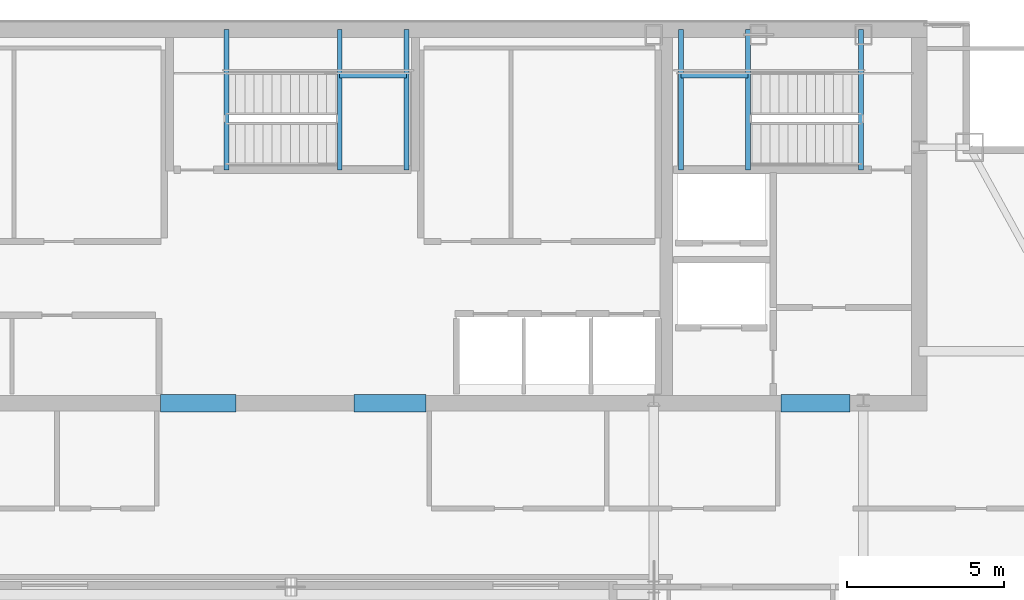
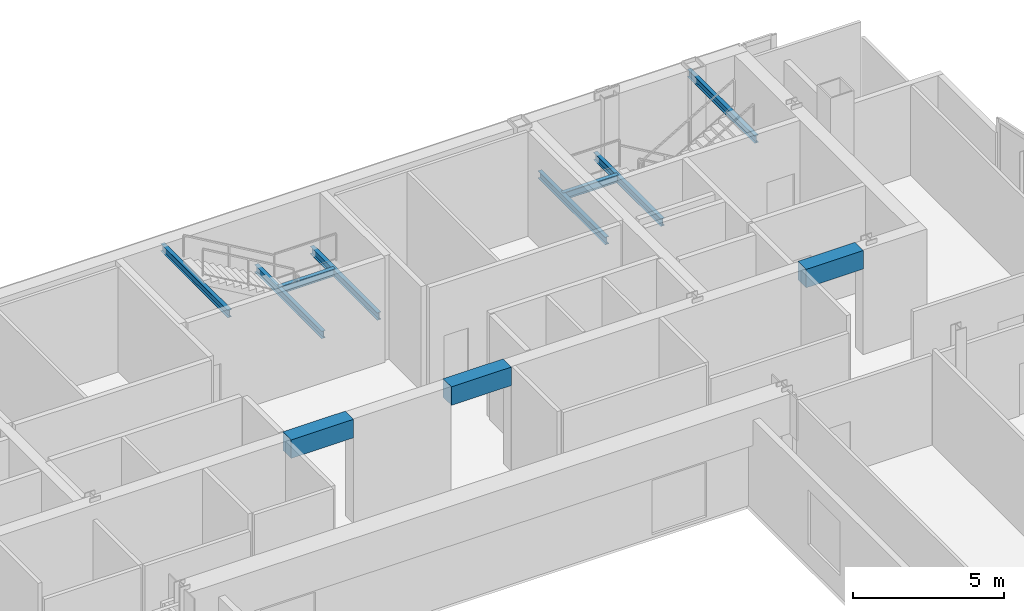
# One storey, part 19 of 27: 11 beams.
"""IFC4 building model written with IfcOpenShell, lengths in metres."""

from ifc_helpers import new_model, si_unit, direction, frame, origin, origin_2d, place, context, subcontext, project, spatial, rectangle, i_section, extrude, material, material_profile, profile_set, type_object, element, save


model = new_model("IFC4")

# Units and contexts
model_context = context("Model", 3, precision=1e-05, world=origin(), true_north=direction((0.0, 1.0)))
body_context = subcontext(model_context, "Body", "Model", "MODEL_VIEW")
ifc_project = project(units=[si_unit("LENGTHUNIT", "METRE"), si_unit("AREAUNIT", "SQUARE_METRE"), si_unit("VOLUMEUNIT", "CUBIC_METRE"), si_unit("PLANEANGLEUNIT", "RADIAN"), si_unit("MASSUNIT", "GRAM", prefix="KILO")], contexts=[model_context])

# Site, building, storey
site_placement = place(None, origin())
site = spatial("IfcSite", under=ifc_project, at=site_placement, CompositionType="ELEMENT")
building_placement = place(site_placement, origin())
building = spatial("IfcBuilding", under=site, at=building_placement, Name="Khoronbel Lancet Exchange", CompositionType="ELEMENT")
storey_placement = place(building_placement, frame((0.0, 0.0, 310.199951171875)))
storey = spatial("IfcBuildingStorey", under=building, at=storey_placement, Name="L80", CompositionType="ELEMENT", Elevation=310.199951171875)

# Beams
ifc_material_1 = material(Name="Steel S355", Category="steel")
ifc_material_profile_1 = material_profile(ifc_material_1, i_section(OverallWidth=0.14990234375, OverallDepth=0.300048828125, WebThickness=0.007080078125, FlangeThickness=0.0107421875, at=origin_2d()), Name="IPE 300")
ifc_profile_set_1 = profile_set([ifc_material_profile_1], Name="Steel S355")
beam_type_1 = type_object("IfcBeamType", Name="BM-BJ8", PredefinedType="JOIST", material=ifc_profile_set_1)
for number, where, z_axis, x_axis, name in (
    (1, (51.0, 48.97998046875, 1.85009765625), (0.0, 1.0, 0.0), (-1.0, 0.0, 0.0), "Level L80 stair ST2 landing bearer beam 1"),
    (2, (48.8701171875, 48.97998046875, 1.85009765625), (0.0, 1.0, 0.0), (-1.0, 0.0, 0.0), "Level L80 stair ST2 rear landing bearer beam 1"),
):
    element("IfcBeam", number, at=place(storey_placement, frame(where, z_axis=z_axis, x_axis=x_axis)), inside=storey, type_object=beam_type_1, Name=name, PredefinedType="JOIST", context=body_context, shape_type="SweptSolid", body=[
        extrude(i_section(OverallWidth=0.14990234375, OverallDepth=0.300048828125, WebThickness=0.007080078125, FlangeThickness=0.0107421875, at=origin_2d()), origin(), (0.0, 0.0, 1.0), 4.469970703125),
    ])
beam_1_placement = place(storey_placement, frame((48.8701171875, 51.97998046875, 1.85009765625), z_axis=(1.0, 0.0, 0.0), x_axis=(0.0, 1.0, 0.0)))
element("IfcBeam", 3, at=beam_1_placement, inside=storey, type_object=beam_type_1, Name="Level L80 stair ST2 landing cross trimmer beam 1", PredefinedType="JOIST", context=body_context, shape_type="SweptSolid", body=[
    extrude(i_section(OverallWidth=0.14990234375, OverallDepth=0.300048828125, WebThickness=0.007080078125, FlangeThickness=0.0107421875, at=origin_2d()), origin(), (0.0, 0.0, 1.0), 2.1298828125),
])
for number, where, z_axis, x_axis, name in (
    (4, (54.60009765625, 48.97998046875, 3.9599609375), (0.0, 1.0, 0.0), (-1.0, 0.0, 0.0), "Level L80 stair ST2 upper-flight arrival trimmer beam"),
    (5, (38.0, 48.97998046875, 1.85009765625), (0.0, 1.0, 0.0), (-1.0, 0.0, 0.0), "Level L80 stair ST3 landing bearer beam 1"),
    (6, (40.1298828125, 48.97998046875, 1.85009765625), (0.0, 1.0, 0.0), (-1.0, 0.0, 0.0), "Level L80 stair ST3 rear landing bearer beam 1"),
):
    element("IfcBeam", number, at=place(storey_placement, frame(where, z_axis=z_axis, x_axis=x_axis)), inside=storey, type_object=beam_type_1, Name=name, PredefinedType="JOIST", context=body_context, shape_type="SweptSolid", body=[
        extrude(i_section(OverallWidth=0.14990234375, OverallDepth=0.300048828125, WebThickness=0.007080078125, FlangeThickness=0.0107421875, at=origin_2d()), origin(), (0.0, 0.0, 1.0), 4.469970703125),
    ])
beam_2_placement = place(storey_placement, frame((38.0, 51.97998046875, 1.85009765625), z_axis=(1.0, 0.0, 0.0), x_axis=(0.0, 1.0, 0.0)))
element("IfcBeam", 7, at=beam_2_placement, inside=storey, type_object=beam_type_1, Name="Level L80 stair ST3 landing cross trimmer beam 1", PredefinedType="JOIST", context=body_context, shape_type="SweptSolid", body=[
    extrude(i_section(OverallWidth=0.14990234375, OverallDepth=0.300048828125, WebThickness=0.007080078125, FlangeThickness=0.0107421875, at=origin_2d()), origin(), (0.0, 0.0, 1.0), 2.1298828125),
])
beam_3_placement = place(storey_placement, frame((34.39990234375, 48.97998046875, 3.9599609375), z_axis=(0.0, 1.0, 0.0), x_axis=(-1.0, 0.0, 0.0)))
element("IfcBeam", 8, at=beam_3_placement, inside=storey, type_object=beam_type_1, Name="Level L80 stair ST3 upper-flight arrival trimmer beam", PredefinedType="JOIST", context=body_context, shape_type="SweptSolid", body=[
    extrude(i_section(OverallWidth=0.14990234375, OverallDepth=0.300048828125, WebThickness=0.007080078125, FlangeThickness=0.0107421875, at=origin_2d()), origin(), (0.0, 0.0, 1.0), 4.469970703125),
])
ifc_material_2 = material(Name="Concrete C60/75", Category="concrete")
ifc_material_profile_2 = material_profile(ifc_material_2, rectangle(XDim=0.550048828125, YDim=0.75, at=origin_2d()), Name="RC 550x750")
ifc_profile_set_2 = profile_set([ifc_material_profile_2], Name="Concrete C60/75")
beam_type_2 = type_object("IfcBeamType", Name="BM-BL2", PredefinedType="LINTEL", material=ifc_profile_set_2)
beam_4_placement = place(storey_placement, frame((32.300048828125, 41.550048828125, 3.864990234375), z_axis=(1.0, 0.0, 0.0), x_axis=(0.0, 1.0, 0.0)))
element("IfcBeam", 9, at=beam_4_placement, inside=storey, type_object=beam_type_2, Name="Level L80 rear core coupling lintel L2", PredefinedType="LINTEL", context=body_context, shape_type="SweptSolid", body=[
    extrude(rectangle(XDim=0.550048828125, YDim=0.75, at=origin_2d()), origin(), (0.0, 0.0, 1.0), 2.39990234375),
])
beam_5_placement = place(storey_placement, frame((38.449951171875, 41.550048828125, 3.864990234375), z_axis=(1.0, 0.0, 0.0), x_axis=(0.0, 1.0, 0.0)))
element("IfcBeam", 10, at=beam_5_placement, inside=storey, type_object=beam_type_2, Name="Level L80 rear core coupling lintel L3", PredefinedType="LINTEL", context=body_context, shape_type="SweptSolid", body=[
    extrude(rectangle(XDim=0.550048828125, YDim=0.75, at=origin_2d()), origin(), (0.0, 0.0, 1.0), 2.300048828125),
])
beam_6_placement = place(storey_placement, frame((52.050048828125, 41.550048828125, 3.864990234375), z_axis=(1.0, 0.0, 0.0), x_axis=(0.0, 1.0, 0.0)))
element("IfcBeam", 11, at=beam_6_placement, inside=storey, type_object=beam_type_2, Name="Level L80 rear core coupling lintel L4", PredefinedType="LINTEL", context=body_context, shape_type="SweptSolid", body=[
    extrude(rectangle(XDim=0.550048828125, YDim=0.75, at=origin_2d()), origin(), (0.0, 0.0, 1.0), 2.199951171875),
])

save(model, "model.ifc")
